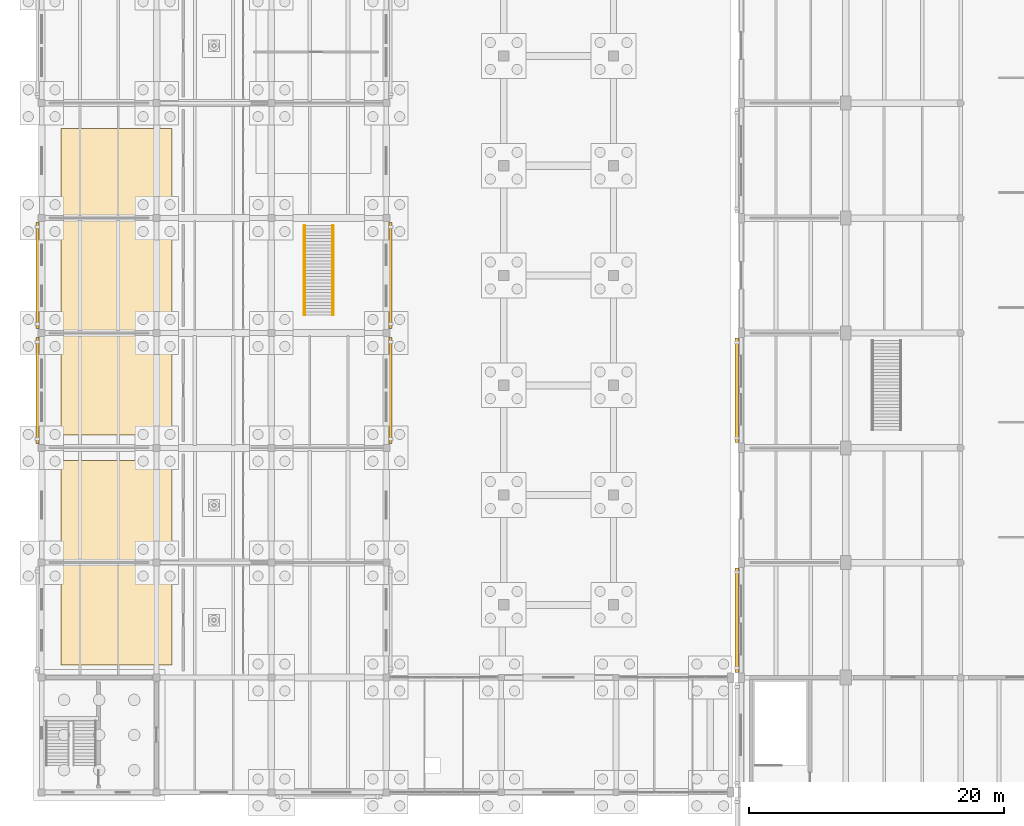
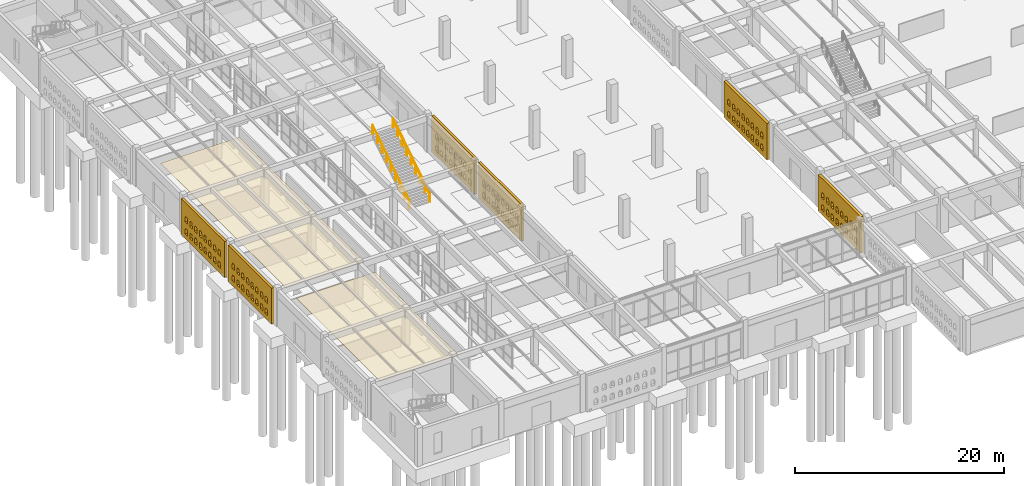
# One storey, part 178 of 186: 8 coverings, 4 railings.
"""IFC4 building model written with IfcOpenShell, lengths in metres."""

from ifc_helpers import new_model, si_unit, direction, frame, origin, origin_2d, place, context, subcontext, project, spatial, polyline, circle, outline, extrude, material, layer, layer_set, type_object, element, save


model = new_model("IFC4")

# Units and contexts
model_context = context("Model", 3, precision=1e-05, world=origin(), true_north=direction((0.0, 1.0)))
body_context = subcontext(model_context, "Body", "Model", "MODEL_VIEW")
ifc_project = project(units=[si_unit("LENGTHUNIT", "METRE"), si_unit("AREAUNIT", "SQUARE_METRE"), si_unit("VOLUMEUNIT", "CUBIC_METRE"), si_unit("PLANEANGLEUNIT", "RADIAN"), si_unit("MASSUNIT", "GRAM", prefix="KILO")], contexts=[model_context])

# Site, building, storey
site_placement = place(None, origin())
site = spatial("IfcSite", under=ifc_project, at=site_placement, CompositionType="ELEMENT")
building_placement = place(site_placement, origin())
building = spatial("IfcBuilding", under=site, at=building_placement, Name="Ornek Quay Market", CompositionType="ELEMENT")
storey_placement = place(building_placement, origin())
storey = spatial("IfcBuildingStorey", under=building, at=storey_placement, Name="L00", CompositionType="ELEMENT", Elevation=0.0)

# Coverings
ifc_material_1 = material(Name="Frost-resistant facing clay brick M200 F100", Category="masonry")
ifc_layer_1 = layer(ifc_material_1, 0.25, Name="Frost-resistant facing clay brick M200 F100", Category="masonry")
ifc_layer_set_1 = layer_set([ifc_layer_1], Name="Frost-resistant facing clay brick M200 F100")
covering_type_1 = type_object("IfcCoveringType", Name="COV-BRICK-LATTICE-250", PredefinedType="CLADDING", material=ifc_layer_set_1)
covering_1_placement = place(storey_placement, frame((-0.340087890625, 47.35009765625, 0.0), z_axis=(0.0, 0.0, 1.0), x_axis=(0.0, 1.0, 0.0)))
element("IfcCovering", 1, at=covering_1_placement, inside=storey, type_object=covering_type_1, Name="Arched brick lattice screen BLS-002", PredefinedType="CLADDING", context=body_context, shape_type="SweptSolid", body=[
    extrude(outline(polyline([(0.0, 0.0), (8.2998046875, 0.0), (8.2998046875, 4.219970703125), (0.0, 4.219970703125), (0.0, 0.0)]), holes=[polyline([(0.760009765625, 0.550048828125), (1.239990234375, 0.550048828125), (1.239990234375, 1.050048828125), (1.1201171875, 1.2578125), (0.8798828125, 1.2578125), (0.760009765625, 1.050048828125), (0.760009765625, 0.550048828125)]), polyline([(0.760009765625, 1.949951171875), (1.239990234375, 1.949951171875), (1.239990234375, 2.449951171875), (1.1201171875, 2.65771484375), (0.8798828125, 2.65771484375), (0.760009765625, 2.449951171875), (0.760009765625, 1.949951171875)]), polyline([(1.659912109375, 0.550048828125), (2.139892578125, 0.550048828125), (2.139892578125, 1.050048828125), (2.02001953125, 1.2578125), (1.780029296875, 1.2578125), (1.659912109375, 1.050048828125), (1.659912109375, 0.550048828125)]), polyline([(1.659912109375, 1.949951171875), (2.139892578125, 1.949951171875), (2.139892578125, 2.449951171875), (2.02001953125, 2.65771484375), (1.780029296875, 2.65771484375), (1.659912109375, 2.449951171875), (1.659912109375, 1.949951171875)]), polyline([(2.56005859375, 0.550048828125), (3.0400390625, 0.550048828125), (3.0400390625, 1.050048828125), (2.919921875, 1.2578125), (2.679931640625, 1.2578125), (2.56005859375, 1.050048828125), (2.56005859375, 0.550048828125)]), polyline([(2.56005859375, 1.949951171875), (3.0400390625, 1.949951171875), (3.0400390625, 2.449951171875), (2.919921875, 2.65771484375), (2.679931640625, 2.65771484375), (2.56005859375, 2.449951171875), (2.56005859375, 1.949951171875)]), polyline([(3.4599609375, 0.550048828125), (3.93994140625, 0.550048828125), (3.93994140625, 1.050048828125), (3.820068359375, 1.2578125), (3.580078125, 1.2578125), (3.4599609375, 1.050048828125), (3.4599609375, 0.550048828125)]), polyline([(3.4599609375, 1.949951171875), (3.93994140625, 1.949951171875), (3.93994140625, 2.449951171875), (3.820068359375, 2.65771484375), (3.580078125, 2.65771484375), (3.4599609375, 2.449951171875), (3.4599609375, 1.949951171875)]), polyline([(4.360107421875, 0.550048828125), (4.840087890625, 0.550048828125), (4.840087890625, 1.050048828125), (4.719970703125, 1.2578125), (4.47998046875, 1.2578125), (4.360107421875, 1.050048828125), (4.360107421875, 0.550048828125)]), polyline([(4.360107421875, 1.949951171875), (4.840087890625, 1.949951171875), (4.840087890625, 2.449951171875), (4.719970703125, 2.65771484375), (4.47998046875, 2.65771484375), (4.360107421875, 2.449951171875), (4.360107421875, 1.949951171875)]), polyline([(5.260009765625, 0.550048828125), (5.739990234375, 0.550048828125), (5.739990234375, 1.050048828125), (5.6201171875, 1.2578125), (5.3798828125, 1.2578125), (5.260009765625, 1.050048828125), (5.260009765625, 0.550048828125)]), polyline([(5.260009765625, 1.949951171875), (5.739990234375, 1.949951171875), (5.739990234375, 2.449951171875), (5.6201171875, 2.65771484375), (5.3798828125, 2.65771484375), (5.260009765625, 2.449951171875), (5.260009765625, 1.949951171875)]), polyline([(6.159912109375, 0.550048828125), (6.639892578125, 0.550048828125), (6.639892578125, 1.050048828125), (6.52001953125, 1.2578125), (6.280029296875, 1.2578125), (6.159912109375, 1.050048828125), (6.159912109375, 0.550048828125)]), polyline([(6.159912109375, 1.949951171875), (6.639892578125, 1.949951171875), (6.639892578125, 2.449951171875), (6.52001953125, 2.65771484375), (6.280029296875, 2.65771484375), (6.159912109375, 2.449951171875), (6.159912109375, 1.949951171875)]), polyline([(7.06005859375, 0.550048828125), (7.5400390625, 0.550048828125), (7.5400390625, 1.050048828125), (7.419921875, 1.2578125), (7.179931640625, 1.2578125), (7.06005859375, 1.050048828125), (7.06005859375, 0.550048828125)]), polyline([(7.06005859375, 1.949951171875), (7.5400390625, 1.949951171875), (7.5400390625, 2.449951171875), (7.419921875, 2.65771484375), (7.179931640625, 2.65771484375), (7.06005859375, 2.449951171875), (7.06005859375, 1.949951171875)])]), frame((0.0, 0.125, 0.0), z_axis=(0.0, -1.0, 0.0), x_axis=(1.0, 0.0, 0.0)), (0.0, 0.0, 1.0), 0.25),
])
covering_2_placement = place(storey_placement, frame((-0.340087890625, 56.35009765625, 0.0), z_axis=(0.0, 0.0, 1.0), x_axis=(0.0, 1.0, 0.0)))
element("IfcCovering", 2, at=covering_2_placement, inside=storey, type_object=covering_type_1, Name="Arched brick lattice screen BLS-003", PredefinedType="CLADDING", context=body_context, shape_type="SweptSolid", body=[
    extrude(outline(polyline([(0.0, 0.0), (8.2998046875, 0.0), (8.2998046875, 4.219970703125), (0.0, 4.219970703125), (0.0, 0.0)]), holes=[polyline([(0.760009765625, 0.550048828125), (1.239990234375, 0.550048828125), (1.239990234375, 1.050048828125), (1.1201171875, 1.2578125), (0.8798828125, 1.2578125), (0.760009765625, 1.050048828125), (0.760009765625, 0.550048828125)]), polyline([(0.760009765625, 1.949951171875), (1.239990234375, 1.949951171875), (1.239990234375, 2.449951171875), (1.1201171875, 2.65771484375), (0.8798828125, 2.65771484375), (0.760009765625, 2.449951171875), (0.760009765625, 1.949951171875)]), polyline([(1.659912109375, 0.550048828125), (2.139892578125, 0.550048828125), (2.139892578125, 1.050048828125), (2.02001953125, 1.2578125), (1.780029296875, 1.2578125), (1.659912109375, 1.050048828125), (1.659912109375, 0.550048828125)]), polyline([(1.659912109375, 1.949951171875), (2.139892578125, 1.949951171875), (2.139892578125, 2.449951171875), (2.02001953125, 2.65771484375), (1.780029296875, 2.65771484375), (1.659912109375, 2.449951171875), (1.659912109375, 1.949951171875)]), polyline([(2.56005859375, 0.550048828125), (3.0400390625, 0.550048828125), (3.0400390625, 1.050048828125), (2.919921875, 1.2578125), (2.679931640625, 1.2578125), (2.56005859375, 1.050048828125), (2.56005859375, 0.550048828125)]), polyline([(2.56005859375, 1.949951171875), (3.0400390625, 1.949951171875), (3.0400390625, 2.449951171875), (2.919921875, 2.65771484375), (2.679931640625, 2.65771484375), (2.56005859375, 2.449951171875), (2.56005859375, 1.949951171875)]), polyline([(3.4599609375, 0.550048828125), (3.93994140625, 0.550048828125), (3.93994140625, 1.050048828125), (3.820068359375, 1.2578125), (3.580078125, 1.2578125), (3.4599609375, 1.050048828125), (3.4599609375, 0.550048828125)]), polyline([(3.4599609375, 1.949951171875), (3.93994140625, 1.949951171875), (3.93994140625, 2.449951171875), (3.820068359375, 2.65771484375), (3.580078125, 2.65771484375), (3.4599609375, 2.449951171875), (3.4599609375, 1.949951171875)]), polyline([(4.360107421875, 0.550048828125), (4.840087890625, 0.550048828125), (4.840087890625, 1.050048828125), (4.719970703125, 1.2578125), (4.47998046875, 1.2578125), (4.360107421875, 1.050048828125), (4.360107421875, 0.550048828125)]), polyline([(4.360107421875, 1.949951171875), (4.840087890625, 1.949951171875), (4.840087890625, 2.449951171875), (4.719970703125, 2.65771484375), (4.47998046875, 2.65771484375), (4.360107421875, 2.449951171875), (4.360107421875, 1.949951171875)]), polyline([(5.260009765625, 0.550048828125), (5.739990234375, 0.550048828125), (5.739990234375, 1.050048828125), (5.6201171875, 1.2578125), (5.3798828125, 1.2578125), (5.260009765625, 1.050048828125), (5.260009765625, 0.550048828125)]), polyline([(5.260009765625, 1.949951171875), (5.739990234375, 1.949951171875), (5.739990234375, 2.449951171875), (5.6201171875, 2.65771484375), (5.3798828125, 2.65771484375), (5.260009765625, 2.449951171875), (5.260009765625, 1.949951171875)]), polyline([(6.159912109375, 0.550048828125), (6.639892578125, 0.550048828125), (6.639892578125, 1.050048828125), (6.52001953125, 1.2578125), (6.280029296875, 1.2578125), (6.159912109375, 1.050048828125), (6.159912109375, 0.550048828125)]), polyline([(6.159912109375, 1.949951171875), (6.639892578125, 1.949951171875), (6.639892578125, 2.449951171875), (6.52001953125, 2.65771484375), (6.280029296875, 2.65771484375), (6.159912109375, 2.449951171875), (6.159912109375, 1.949951171875)]), polyline([(7.06005859375, 0.550048828125), (7.5400390625, 0.550048828125), (7.5400390625, 1.050048828125), (7.419921875, 1.2578125), (7.179931640625, 1.2578125), (7.06005859375, 1.050048828125), (7.06005859375, 0.550048828125)]), polyline([(7.06005859375, 1.949951171875), (7.5400390625, 1.949951171875), (7.5400390625, 2.449951171875), (7.419921875, 2.65771484375), (7.179931640625, 2.65771484375), (7.06005859375, 2.449951171875), (7.06005859375, 1.949951171875)])]), frame((0.0, 0.125, 0.0), z_axis=(0.0, -1.0, 0.0), x_axis=(1.0, 0.0, 0.0)), (0.0, 0.0, 1.0), 0.25),
])
covering_3_placement = place(storey_placement, frame((27.340087890625, 47.35009765625, 0.0), z_axis=(0.0, 0.0, 1.0), x_axis=(0.0, 1.0, 0.0)))
element("IfcCovering", 3, at=covering_3_placement, inside=storey, type_object=covering_type_1, Name="Arched brick lattice screen BLS-008", PredefinedType="CLADDING", context=body_context, shape_type="SweptSolid", body=[
    extrude(outline(polyline([(0.0, 0.0), (8.2998046875, 0.0), (8.2998046875, 4.219970703125), (0.0, 4.219970703125), (0.0, 0.0)]), holes=[polyline([(0.760009765625, 0.550048828125), (1.239990234375, 0.550048828125), (1.239990234375, 1.050048828125), (1.1201171875, 1.2578125), (0.8798828125, 1.2578125), (0.760009765625, 1.050048828125), (0.760009765625, 0.550048828125)]), polyline([(0.760009765625, 1.949951171875), (1.239990234375, 1.949951171875), (1.239990234375, 2.449951171875), (1.1201171875, 2.65771484375), (0.8798828125, 2.65771484375), (0.760009765625, 2.449951171875), (0.760009765625, 1.949951171875)]), polyline([(1.659912109375, 0.550048828125), (2.139892578125, 0.550048828125), (2.139892578125, 1.050048828125), (2.02001953125, 1.2578125), (1.780029296875, 1.2578125), (1.659912109375, 1.050048828125), (1.659912109375, 0.550048828125)]), polyline([(1.659912109375, 1.949951171875), (2.139892578125, 1.949951171875), (2.139892578125, 2.449951171875), (2.02001953125, 2.65771484375), (1.780029296875, 2.65771484375), (1.659912109375, 2.449951171875), (1.659912109375, 1.949951171875)]), polyline([(2.56005859375, 0.550048828125), (3.0400390625, 0.550048828125), (3.0400390625, 1.050048828125), (2.919921875, 1.2578125), (2.679931640625, 1.2578125), (2.56005859375, 1.050048828125), (2.56005859375, 0.550048828125)]), polyline([(2.56005859375, 1.949951171875), (3.0400390625, 1.949951171875), (3.0400390625, 2.449951171875), (2.919921875, 2.65771484375), (2.679931640625, 2.65771484375), (2.56005859375, 2.449951171875), (2.56005859375, 1.949951171875)]), polyline([(3.4599609375, 0.550048828125), (3.93994140625, 0.550048828125), (3.93994140625, 1.050048828125), (3.820068359375, 1.2578125), (3.580078125, 1.2578125), (3.4599609375, 1.050048828125), (3.4599609375, 0.550048828125)]), polyline([(3.4599609375, 1.949951171875), (3.93994140625, 1.949951171875), (3.93994140625, 2.449951171875), (3.820068359375, 2.65771484375), (3.580078125, 2.65771484375), (3.4599609375, 2.449951171875), (3.4599609375, 1.949951171875)]), polyline([(4.360107421875, 0.550048828125), (4.840087890625, 0.550048828125), (4.840087890625, 1.050048828125), (4.719970703125, 1.2578125), (4.47998046875, 1.2578125), (4.360107421875, 1.050048828125), (4.360107421875, 0.550048828125)]), polyline([(4.360107421875, 1.949951171875), (4.840087890625, 1.949951171875), (4.840087890625, 2.449951171875), (4.719970703125, 2.65771484375), (4.47998046875, 2.65771484375), (4.360107421875, 2.449951171875), (4.360107421875, 1.949951171875)]), polyline([(5.260009765625, 0.550048828125), (5.739990234375, 0.550048828125), (5.739990234375, 1.050048828125), (5.6201171875, 1.2578125), (5.3798828125, 1.2578125), (5.260009765625, 1.050048828125), (5.260009765625, 0.550048828125)]), polyline([(5.260009765625, 1.949951171875), (5.739990234375, 1.949951171875), (5.739990234375, 2.449951171875), (5.6201171875, 2.65771484375), (5.3798828125, 2.65771484375), (5.260009765625, 2.449951171875), (5.260009765625, 1.949951171875)]), polyline([(6.159912109375, 0.550048828125), (6.639892578125, 0.550048828125), (6.639892578125, 1.050048828125), (6.52001953125, 1.2578125), (6.280029296875, 1.2578125), (6.159912109375, 1.050048828125), (6.159912109375, 0.550048828125)]), polyline([(6.159912109375, 1.949951171875), (6.639892578125, 1.949951171875), (6.639892578125, 2.449951171875), (6.52001953125, 2.65771484375), (6.280029296875, 2.65771484375), (6.159912109375, 2.449951171875), (6.159912109375, 1.949951171875)]), polyline([(7.06005859375, 0.550048828125), (7.5400390625, 0.550048828125), (7.5400390625, 1.050048828125), (7.419921875, 1.2578125), (7.179931640625, 1.2578125), (7.06005859375, 1.050048828125), (7.06005859375, 0.550048828125)]), polyline([(7.06005859375, 1.949951171875), (7.5400390625, 1.949951171875), (7.5400390625, 2.449951171875), (7.419921875, 2.65771484375), (7.179931640625, 2.65771484375), (7.06005859375, 2.449951171875), (7.06005859375, 1.949951171875)])]), frame((0.0, 0.125, 0.0), z_axis=(0.0, -1.0, 0.0), x_axis=(1.0, 0.0, 0.0)), (0.0, 0.0, 1.0), 0.25),
])
covering_4_placement = place(storey_placement, frame((27.340087890625, 56.35009765625, 0.0), z_axis=(0.0, 0.0, 1.0), x_axis=(0.0, 1.0, 0.0)))
element("IfcCovering", 4, at=covering_4_placement, inside=storey, type_object=covering_type_1, Name="Arched brick lattice screen BLS-009", PredefinedType="CLADDING", context=body_context, shape_type="SweptSolid", body=[
    extrude(outline(polyline([(0.0, 0.0), (8.2998046875, 0.0), (8.2998046875, 4.219970703125), (0.0, 4.219970703125), (0.0, 0.0)]), holes=[polyline([(0.760009765625, 0.550048828125), (1.239990234375, 0.550048828125), (1.239990234375, 1.050048828125), (1.1201171875, 1.2578125), (0.8798828125, 1.2578125), (0.760009765625, 1.050048828125), (0.760009765625, 0.550048828125)]), polyline([(0.760009765625, 1.949951171875), (1.239990234375, 1.949951171875), (1.239990234375, 2.449951171875), (1.1201171875, 2.65771484375), (0.8798828125, 2.65771484375), (0.760009765625, 2.449951171875), (0.760009765625, 1.949951171875)]), polyline([(1.659912109375, 0.550048828125), (2.139892578125, 0.550048828125), (2.139892578125, 1.050048828125), (2.02001953125, 1.2578125), (1.780029296875, 1.2578125), (1.659912109375, 1.050048828125), (1.659912109375, 0.550048828125)]), polyline([(1.659912109375, 1.949951171875), (2.139892578125, 1.949951171875), (2.139892578125, 2.449951171875), (2.02001953125, 2.65771484375), (1.780029296875, 2.65771484375), (1.659912109375, 2.449951171875), (1.659912109375, 1.949951171875)]), polyline([(2.56005859375, 0.550048828125), (3.0400390625, 0.550048828125), (3.0400390625, 1.050048828125), (2.919921875, 1.2578125), (2.679931640625, 1.2578125), (2.56005859375, 1.050048828125), (2.56005859375, 0.550048828125)]), polyline([(2.56005859375, 1.949951171875), (3.0400390625, 1.949951171875), (3.0400390625, 2.449951171875), (2.919921875, 2.65771484375), (2.679931640625, 2.65771484375), (2.56005859375, 2.449951171875), (2.56005859375, 1.949951171875)]), polyline([(3.4599609375, 0.550048828125), (3.93994140625, 0.550048828125), (3.93994140625, 1.050048828125), (3.820068359375, 1.2578125), (3.580078125, 1.2578125), (3.4599609375, 1.050048828125), (3.4599609375, 0.550048828125)]), polyline([(3.4599609375, 1.949951171875), (3.93994140625, 1.949951171875), (3.93994140625, 2.449951171875), (3.820068359375, 2.65771484375), (3.580078125, 2.65771484375), (3.4599609375, 2.449951171875), (3.4599609375, 1.949951171875)]), polyline([(4.360107421875, 0.550048828125), (4.840087890625, 0.550048828125), (4.840087890625, 1.050048828125), (4.719970703125, 1.2578125), (4.47998046875, 1.2578125), (4.360107421875, 1.050048828125), (4.360107421875, 0.550048828125)]), polyline([(4.360107421875, 1.949951171875), (4.840087890625, 1.949951171875), (4.840087890625, 2.449951171875), (4.719970703125, 2.65771484375), (4.47998046875, 2.65771484375), (4.360107421875, 2.449951171875), (4.360107421875, 1.949951171875)]), polyline([(5.260009765625, 0.550048828125), (5.739990234375, 0.550048828125), (5.739990234375, 1.050048828125), (5.6201171875, 1.2578125), (5.3798828125, 1.2578125), (5.260009765625, 1.050048828125), (5.260009765625, 0.550048828125)]), polyline([(5.260009765625, 1.949951171875), (5.739990234375, 1.949951171875), (5.739990234375, 2.449951171875), (5.6201171875, 2.65771484375), (5.3798828125, 2.65771484375), (5.260009765625, 2.449951171875), (5.260009765625, 1.949951171875)]), polyline([(6.159912109375, 0.550048828125), (6.639892578125, 0.550048828125), (6.639892578125, 1.050048828125), (6.52001953125, 1.2578125), (6.280029296875, 1.2578125), (6.159912109375, 1.050048828125), (6.159912109375, 0.550048828125)]), polyline([(6.159912109375, 1.949951171875), (6.639892578125, 1.949951171875), (6.639892578125, 2.449951171875), (6.52001953125, 2.65771484375), (6.280029296875, 2.65771484375), (6.159912109375, 2.449951171875), (6.159912109375, 1.949951171875)]), polyline([(7.06005859375, 0.550048828125), (7.5400390625, 0.550048828125), (7.5400390625, 1.050048828125), (7.419921875, 1.2578125), (7.179931640625, 1.2578125), (7.06005859375, 1.050048828125), (7.06005859375, 0.550048828125)]), polyline([(7.06005859375, 1.949951171875), (7.5400390625, 1.949951171875), (7.5400390625, 2.449951171875), (7.419921875, 2.65771484375), (7.179931640625, 2.65771484375), (7.06005859375, 2.449951171875), (7.06005859375, 1.949951171875)])]), frame((0.0, 0.125, 0.0), z_axis=(0.0, -1.0, 0.0), x_axis=(1.0, 0.0, 0.0)), (0.0, 0.0, 1.0), 0.25),
])
ifc_layer_2 = layer(ifc_material_1, 0.2900390625, Name="Frost-resistant facing clay brick M200 F100", Category="masonry")
ifc_layer_set_2 = layer_set([ifc_layer_2], Name="Frost-resistant facing clay brick M200 F100")
covering_type_2 = type_object("IfcCoveringType", Name="COV-BRICK-LATTICE-290", PredefinedType="CLADDING", material=ifc_layer_set_2)
covering_5_placement = place(storey_placement, frame((54.4599609375, 29.39990234375, 0.0), z_axis=(0.0, 0.0, 1.0), x_axis=(0.0, 1.0, 0.0)))
element("IfcCovering", 5, at=covering_5_placement, inside=storey, type_object=covering_type_2, Name="Arched brick lattice screen BLS-035", PredefinedType="CLADDING", context=body_context, shape_type="SweptSolid", body=[
    extrude(outline(polyline([(0.0, 0.0), (8.2001953125, 0.0), (8.2001953125, 4.239990234375), (0.0, 4.239990234375), (0.0, 0.0)]), holes=[polyline([(0.7099609375, 0.550048828125), (1.18994140625, 0.550048828125), (1.18994140625, 1.050048828125), (1.070068359375, 1.2578125), (0.830078125, 1.2578125), (0.7099609375, 1.050048828125), (0.7099609375, 0.550048828125)]), polyline([(0.7099609375, 1.949951171875), (1.18994140625, 1.949951171875), (1.18994140625, 2.449951171875), (1.070068359375, 2.65771484375), (0.830078125, 2.65771484375), (0.7099609375, 2.449951171875), (0.7099609375, 1.949951171875)]), polyline([(1.610107421875, 0.550048828125), (2.090087890625, 0.550048828125), (2.090087890625, 1.050048828125), (1.969970703125, 1.2578125), (1.72998046875, 1.2578125), (1.610107421875, 1.050048828125), (1.610107421875, 0.550048828125)]), polyline([(1.610107421875, 1.949951171875), (2.090087890625, 1.949951171875), (2.090087890625, 2.449951171875), (1.969970703125, 2.65771484375), (1.72998046875, 2.65771484375), (1.610107421875, 2.449951171875), (1.610107421875, 1.949951171875)]), polyline([(2.510009765625, 0.550048828125), (2.989990234375, 0.550048828125), (2.989990234375, 1.050048828125), (2.8701171875, 1.2578125), (2.6298828125, 1.2578125), (2.510009765625, 1.050048828125), (2.510009765625, 0.550048828125)]), polyline([(2.510009765625, 1.949951171875), (2.989990234375, 1.949951171875), (2.989990234375, 2.449951171875), (2.8701171875, 2.65771484375), (2.6298828125, 2.65771484375), (2.510009765625, 2.449951171875), (2.510009765625, 1.949951171875)]), polyline([(3.409912109375, 0.550048828125), (3.889892578125, 0.550048828125), (3.889892578125, 1.050048828125), (3.77001953125, 1.2578125), (3.530029296875, 1.2578125), (3.409912109375, 1.050048828125), (3.409912109375, 0.550048828125)]), polyline([(3.409912109375, 1.949951171875), (3.889892578125, 1.949951171875), (3.889892578125, 2.449951171875), (3.77001953125, 2.65771484375), (3.530029296875, 2.65771484375), (3.409912109375, 2.449951171875), (3.409912109375, 1.949951171875)]), polyline([(4.31005859375, 0.550048828125), (4.7900390625, 0.550048828125), (4.7900390625, 1.050048828125), (4.669921875, 1.2578125), (4.429931640625, 1.2578125), (4.31005859375, 1.050048828125), (4.31005859375, 0.550048828125)]), polyline([(4.31005859375, 1.949951171875), (4.7900390625, 1.949951171875), (4.7900390625, 2.449951171875), (4.669921875, 2.65771484375), (4.429931640625, 2.65771484375), (4.31005859375, 2.449951171875), (4.31005859375, 1.949951171875)]), polyline([(5.2099609375, 0.550048828125), (5.68994140625, 0.550048828125), (5.68994140625, 1.050048828125), (5.570068359375, 1.2578125), (5.330078125, 1.2578125), (5.2099609375, 1.050048828125), (5.2099609375, 0.550048828125)]), polyline([(5.2099609375, 1.949951171875), (5.68994140625, 1.949951171875), (5.68994140625, 2.449951171875), (5.570068359375, 2.65771484375), (5.330078125, 2.65771484375), (5.2099609375, 2.449951171875), (5.2099609375, 1.949951171875)]), polyline([(6.110107421875, 0.550048828125), (6.590087890625, 0.550048828125), (6.590087890625, 1.050048828125), (6.469970703125, 1.2578125), (6.22998046875, 1.2578125), (6.110107421875, 1.050048828125), (6.110107421875, 0.550048828125)]), polyline([(6.110107421875, 1.949951171875), (6.590087890625, 1.949951171875), (6.590087890625, 2.449951171875), (6.469970703125, 2.65771484375), (6.22998046875, 2.65771484375), (6.110107421875, 2.449951171875), (6.110107421875, 1.949951171875)]), polyline([(7.010009765625, 0.550048828125), (7.489990234375, 0.550048828125), (7.489990234375, 1.050048828125), (7.3701171875, 1.2578125), (7.1298828125, 1.2578125), (7.010009765625, 1.050048828125), (7.010009765625, 0.550048828125)]), polyline([(7.010009765625, 1.949951171875), (7.489990234375, 1.949951171875), (7.489990234375, 2.449951171875), (7.3701171875, 2.65771484375), (7.1298828125, 2.65771484375), (7.010009765625, 2.449951171875), (7.010009765625, 1.949951171875)])]), frame((0.0, 0.14501953125, 0.0), z_axis=(0.0, -1.0, 0.0), x_axis=(1.0, 0.0, 0.0)), (0.0, 0.0, 1.0), 0.2900390625),
])
covering_6_placement = place(storey_placement, frame((54.4599609375, 47.39990234375, 0.0), z_axis=(0.0, 0.0, 1.0), x_axis=(0.0, 1.0, 0.0)))
element("IfcCovering", 6, at=covering_6_placement, inside=storey, type_object=covering_type_2, Name="Arched brick lattice screen BLS-036", PredefinedType="CLADDING", context=body_context, shape_type="SweptSolid", body=[
    extrude(outline(polyline([(0.0, 0.0), (8.2001953125, 0.0), (8.2001953125, 4.239990234375), (0.0, 4.239990234375), (0.0, 0.0)]), holes=[polyline([(0.7099609375, 0.550048828125), (1.18994140625, 0.550048828125), (1.18994140625, 1.050048828125), (1.070068359375, 1.2578125), (0.830078125, 1.2578125), (0.7099609375, 1.050048828125), (0.7099609375, 0.550048828125)]), polyline([(0.7099609375, 1.949951171875), (1.18994140625, 1.949951171875), (1.18994140625, 2.449951171875), (1.070068359375, 2.65771484375), (0.830078125, 2.65771484375), (0.7099609375, 2.449951171875), (0.7099609375, 1.949951171875)]), polyline([(1.610107421875, 0.550048828125), (2.090087890625, 0.550048828125), (2.090087890625, 1.050048828125), (1.969970703125, 1.2578125), (1.72998046875, 1.2578125), (1.610107421875, 1.050048828125), (1.610107421875, 0.550048828125)]), polyline([(1.610107421875, 1.949951171875), (2.090087890625, 1.949951171875), (2.090087890625, 2.449951171875), (1.969970703125, 2.65771484375), (1.72998046875, 2.65771484375), (1.610107421875, 2.449951171875), (1.610107421875, 1.949951171875)]), polyline([(2.510009765625, 0.550048828125), (2.989990234375, 0.550048828125), (2.989990234375, 1.050048828125), (2.8701171875, 1.2578125), (2.6298828125, 1.2578125), (2.510009765625, 1.050048828125), (2.510009765625, 0.550048828125)]), polyline([(2.510009765625, 1.949951171875), (2.989990234375, 1.949951171875), (2.989990234375, 2.449951171875), (2.8701171875, 2.65771484375), (2.6298828125, 2.65771484375), (2.510009765625, 2.449951171875), (2.510009765625, 1.949951171875)]), polyline([(3.409912109375, 0.550048828125), (3.889892578125, 0.550048828125), (3.889892578125, 1.050048828125), (3.77001953125, 1.2578125), (3.530029296875, 1.2578125), (3.409912109375, 1.050048828125), (3.409912109375, 0.550048828125)]), polyline([(3.409912109375, 1.949951171875), (3.889892578125, 1.949951171875), (3.889892578125, 2.449951171875), (3.77001953125, 2.65771484375), (3.530029296875, 2.65771484375), (3.409912109375, 2.449951171875), (3.409912109375, 1.949951171875)]), polyline([(4.31005859375, 0.550048828125), (4.7900390625, 0.550048828125), (4.7900390625, 1.050048828125), (4.669921875, 1.2578125), (4.429931640625, 1.2578125), (4.31005859375, 1.050048828125), (4.31005859375, 0.550048828125)]), polyline([(4.31005859375, 1.949951171875), (4.7900390625, 1.949951171875), (4.7900390625, 2.449951171875), (4.669921875, 2.65771484375), (4.429931640625, 2.65771484375), (4.31005859375, 2.449951171875), (4.31005859375, 1.949951171875)]), polyline([(5.2099609375, 0.550048828125), (5.68994140625, 0.550048828125), (5.68994140625, 1.050048828125), (5.570068359375, 1.2578125), (5.330078125, 1.2578125), (5.2099609375, 1.050048828125), (5.2099609375, 0.550048828125)]), polyline([(5.2099609375, 1.949951171875), (5.68994140625, 1.949951171875), (5.68994140625, 2.449951171875), (5.570068359375, 2.65771484375), (5.330078125, 2.65771484375), (5.2099609375, 2.449951171875), (5.2099609375, 1.949951171875)]), polyline([(6.110107421875, 0.550048828125), (6.590087890625, 0.550048828125), (6.590087890625, 1.050048828125), (6.469970703125, 1.2578125), (6.22998046875, 1.2578125), (6.110107421875, 1.050048828125), (6.110107421875, 0.550048828125)]), polyline([(6.110107421875, 1.949951171875), (6.590087890625, 1.949951171875), (6.590087890625, 2.449951171875), (6.469970703125, 2.65771484375), (6.22998046875, 2.65771484375), (6.110107421875, 2.449951171875), (6.110107421875, 1.949951171875)]), polyline([(7.010009765625, 0.550048828125), (7.489990234375, 0.550048828125), (7.489990234375, 1.050048828125), (7.3701171875, 1.2578125), (7.1298828125, 1.2578125), (7.010009765625, 1.050048828125), (7.010009765625, 0.550048828125)]), polyline([(7.010009765625, 1.949951171875), (7.489990234375, 1.949951171875), (7.489990234375, 2.449951171875), (7.3701171875, 2.65771484375), (7.1298828125, 2.65771484375), (7.010009765625, 2.449951171875), (7.010009765625, 1.949951171875)])]), frame((0.0, 0.14501953125, 0.0), z_axis=(0.0, -1.0, 0.0), x_axis=(1.0, 0.0, 0.0)), (0.0, 0.0, 1.0), 0.2900390625),
])
ifc_material_2 = material(Name="Perforated larch acoustic slat ceiling", Category="other")
ifc_layer_3 = layer(ifc_material_2, 0.044921875, Name="Perforated larch acoustic slat ceiling", Category="other")
ifc_layer_set_3 = layer_set([ifc_layer_3], Name="Perforated larch acoustic slat ceiling")
covering_type_3 = type_object("IfcCoveringType", Name="COV-CEIL-TIMBER-45", PredefinedType="CEILING", material=ifc_layer_set_3)
covering_7_placement = place(storey_placement, frame((0.0, 0.0, 3.14990234375)))
element("IfcCovering", 7, at=covering_7_placement, inside=storey, type_object=covering_type_3, Name="Suspended acoustic ceiling CLG-01", PredefinedType="CEILING", context=body_context, shape_type="SweptSolid", body=[
    extrude(outline(polyline([(1.5, 30.0), (10.199951171875, 30.0), (10.199951171875, 46.0), (1.5, 46.0), (1.5, 30.0)])), origin(), (0.0, 0.0, 1.0), 0.045166015625),
])
covering_8_placement = place(storey_placement, frame((0.0, 0.0, 3.14990234375)))
element("IfcCovering", 8, at=covering_8_placement, inside=storey, type_object=covering_type_3, Name="Suspended acoustic ceiling CLG-02", PredefinedType="CEILING", context=body_context, shape_type="SweptSolid", body=[
    extrude(outline(polyline([(1.5, 48.0), (10.199951171875, 48.0), (10.199951171875, 72.0), (1.5, 72.0), (1.5, 48.0)])), origin(), (0.0, 0.0, 1.0), 0.045166015625),
])

# Railings
ifc_material_3 = material(Name="Brushed stainless steel 316", Category="steel")
railing_type_1 = type_object("IfcRailingType", Name="RL-GUARD-STAIR-1100", PredefinedType="GUARDRAIL", material=ifc_material_3)
for number, where, name in (
    (9, (20.56005859375, 57.404052734375, 0.0), "Railing GR-03-090"),
    (10, (22.840087890625, 57.404052734375, 0.0), "Railing GR-03-091"),
):
    element("IfcRailing", number, at=place(storey_placement, frame(where)), inside=storey, type_object=railing_type_1, Name=name, PredefinedType="GUARDRAIL", context=body_context, shape_type="SweptSolid", body=[
        extrude(circle(Radius=0.02392578125, at=origin_2d()), frame((0.0, 0.0, 1.09619140625), z_axis=(0.0, 0.841032540973, 0.540984533073), x_axis=(-1.0, 0.0, 0.0)), (0.0, 0.0, 1.0), 8.318115234375),
        extrude(circle(Radius=0.02099609375, at=origin_2d()), origin(), (0.0, 0.0, 1.0), 1.068115234375),
        extrude(circle(Radius=0.02099609375, at=origin_2d()), frame((0.0, 0.87451171875, 0.5625)), (0.0, 0.0, 1.0), 1.068115234375),
        extrude(circle(Radius=0.02099609375, at=origin_2d()), frame((0.0, 1.7490234375, 1.125)), (0.0, 0.0, 1.0), 1.068115234375),
        extrude(circle(Radius=0.02099609375, at=origin_2d()), frame((0.0, 2.62353515625, 1.6875)), (0.0, 0.0, 1.0), 1.068115234375),
        extrude(circle(Radius=0.02099609375, at=origin_2d()), frame((0.0, 3.498046875, 2.25)), (0.0, 0.0, 1.0), 1.068115234375),
        extrude(circle(Radius=0.02099609375, at=origin_2d()), frame((0.0, 4.372314453125, 2.8125)), (0.0, 0.0, 1.0), 1.068115234375),
        extrude(circle(Radius=0.02099609375, at=origin_2d()), frame((0.0, 5.246826171875, 3.375)), (0.0, 0.0, 1.0), 1.068115234375),
        extrude(circle(Radius=0.02099609375, at=origin_2d()), frame((0.0, 6.121337890625, 3.9375)), (0.0, 0.0, 1.0), 1.068115234375),
        extrude(circle(Radius=0.02099609375, at=origin_2d()), frame((0.0, 6.995849609375, 4.5)), (0.0, 0.0, 1.0), 1.068115234375),
    ])
railing_type_2 = type_object("IfcRailingType", Name="RL-HANDRAIL-920", PredefinedType="HANDRAIL", material=ifc_material_3)
for number, where, name in (
    (11, (20.6201171875, 57.404052734375, 0.080078125), "Railing HR-01-092"),
    (12, (22.780029296875, 57.404052734375, 0.080078125), "Railing HR-01-093"),
):
    element("IfcRailing", number, at=place(storey_placement, frame(where)), inside=storey, type_object=railing_type_2, Name=name, PredefinedType="HANDRAIL", context=body_context, shape_type="SweptSolid", body=[
        extrude(circle(Radius=0.02392578125, at=origin_2d()), frame((0.0, 0.0, 0.89599609375), z_axis=(0.0, 0.841032540973, 0.540984533073), x_axis=(-1.0, 0.0, 0.0)), (0.0, 0.0, 1.0), 8.318115234375),
        extrude(circle(Radius=0.02099609375, at=origin_2d()), origin(), (0.0, 0.0, 1.0), 0.867919921875),
        extrude(circle(Radius=0.02099609375, at=origin_2d()), frame((0.0, 0.87451171875, 0.5625)), (0.0, 0.0, 1.0), 0.867919921875),
        extrude(circle(Radius=0.02099609375, at=origin_2d()), frame((0.0, 1.7490234375, 1.125)), (0.0, 0.0, 1.0), 0.867919921875),
        extrude(circle(Radius=0.02099609375, at=origin_2d()), frame((0.0, 2.62353515625, 1.6875)), (0.0, 0.0, 1.0), 0.867919921875),
        extrude(circle(Radius=0.02099609375, at=origin_2d()), frame((0.0, 3.498046875, 2.25)), (0.0, 0.0, 1.0), 0.867919921875),
        extrude(circle(Radius=0.02099609375, at=origin_2d()), frame((0.0, 4.372314453125, 2.8125)), (0.0, 0.0, 1.0), 0.867919921875),
        extrude(circle(Radius=0.02099609375, at=origin_2d()), frame((0.0, 5.246826171875, 3.375)), (0.0, 0.0, 1.0), 0.867919921875),
        extrude(circle(Radius=0.02099609375, at=origin_2d()), frame((0.0, 6.121337890625, 3.9375)), (0.0, 0.0, 1.0), 0.867919921875),
        extrude(circle(Radius=0.02099609375, at=origin_2d()), frame((0.0, 6.995849609375, 4.5)), (0.0, 0.0, 1.0), 0.867919921875),
    ])

save(model, "model.ifc")
